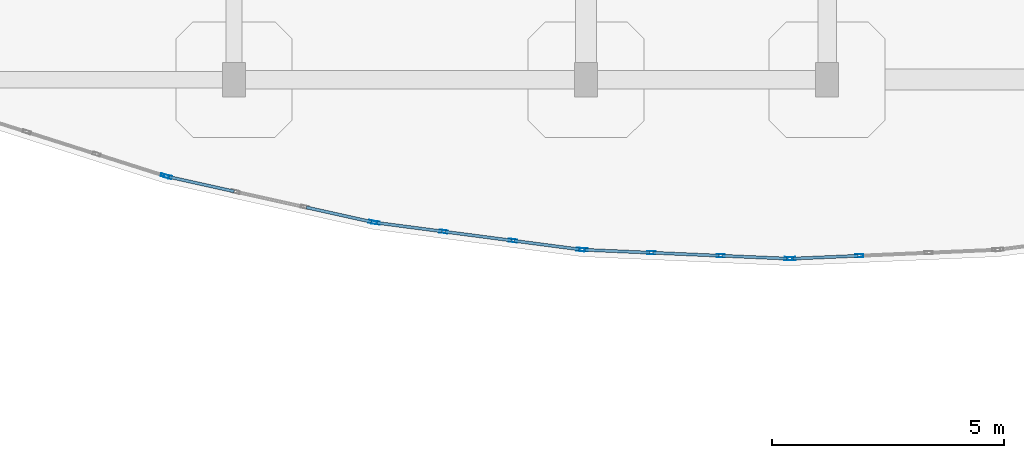
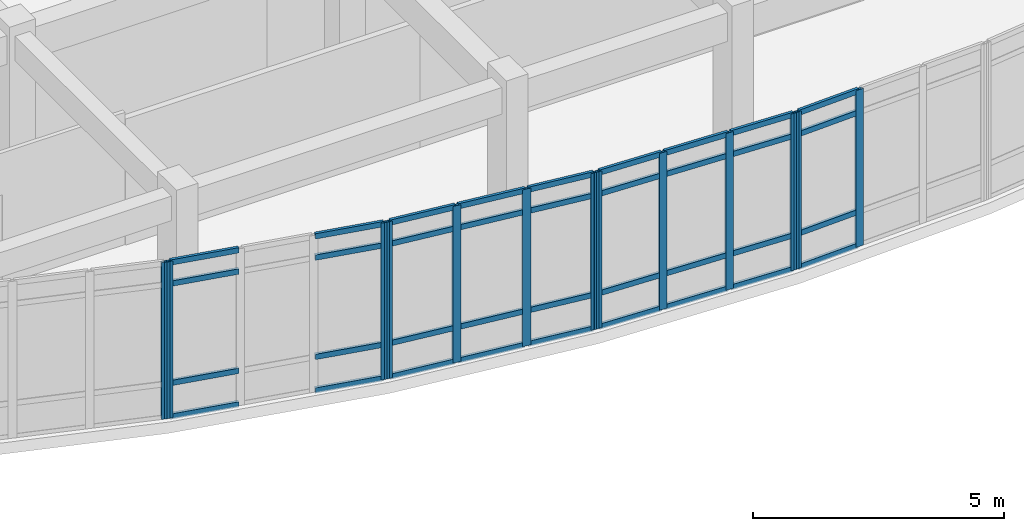
# One storey, part 88 of 146: 49 members, 5 elements without a shape of their own.
"""IFC4 building model written with IfcOpenShell, lengths in metres."""

from ifc_helpers import new_model, si_unit, direction, frame, origin, origin_2d, place, context, subcontext, project, spatial, hollow_rectangle, extrude, material, layer, layer_set, material_profile, profile_set, type_object, element, aggregate, save


model = new_model("IFC4")

# Units and contexts
model_context = context("Model", 3, precision=1e-05, world=origin(), true_north=direction((0.0, 1.0)))
body_context = subcontext(model_context, "Body", "Model", "MODEL_VIEW")
ifc_project = project(units=[si_unit("LENGTHUNIT", "METRE"), si_unit("AREAUNIT", "SQUARE_METRE"), si_unit("VOLUMEUNIT", "CUBIC_METRE"), si_unit("PLANEANGLEUNIT", "RADIAN"), si_unit("MASSUNIT", "GRAM", prefix="KILO")], contexts=[model_context])

# Site, building, storey
site_placement = place(None, origin())
site = spatial("IfcSite", under=ifc_project, at=site_placement, CompositionType="ELEMENT")
building_placement = place(site_placement, origin())
building = spatial("IfcBuilding", under=site, at=building_placement, Name="Valcora Specialist Clinic", CompositionType="ELEMENT")
storey_placement = place(building_placement, frame((0.0, 0.0, 9.52001953125)))
storey = spatial("IfcBuildingStorey", under=building, at=storey_placement, Name="L02", CompositionType="ELEMENT", Elevation=9.52001953125)

# Curtain wall, members
ifc_material = material(Name="Anodized Bronze Aluminium 6063-T6", Category="aluminium")
ifc_layer = layer(ifc_material, 0.175048828125)
ifc_layer_set = layer_set([ifc_layer], Name="Anodized Bronze Aluminium 6063-T6")
curtain_wall_type = type_object("IfcCurtainWallType", Name="TY-CW-ARC40", PredefinedType="NOTDEFINED", material=ifc_layer_set)
curtain_wall_1_placement = place(storey_placement, origin())
curtain_wall_1 = element("IfcCurtainWall", 1, at=curtain_wall_1_placement, inside=storey, type_object=curtain_wall_type, Name="Curtain wall CW-L02-088", PredefinedType="NOTDEFINED")
ifc_material_profile_1 = material_profile(ifc_material, hollow_rectangle(XDim=0.06494140625, YDim=0.175048828125, WallThickness=0.00390625, at=origin_2d()), Name="AL-MUL-65X175")
ifc_profile_set_1 = profile_set([ifc_material_profile_1], Name="Anodized Bronze Aluminium 6063-T6")
member_type_1 = type_object("IfcMemberType", Name="TY-CWM-65X175", PredefinedType="MULLION", material=ifc_profile_set_1)
member_1_placement = place(storey_placement, frame((111.895751953125, 71.0, 0.0), z_axis=(0.0, 0.0, 1.0), x_axis=(0.043306780525, -0.999061821291, 0.0)))
member_1 = element("IfcMember", 2, at=member_1_placement, type_object=member_type_1, Name="CW-ARC-40 mullion 3", PredefinedType="MULLION", context=body_context, shape_type="SweptSolid", body=[
    extrude(hollow_rectangle(XDim=0.06494140625, YDim=0.175048828125, WallThickness=0.00390625, at=origin_2d()), origin(), (0.0, 0.0, 1.0), 3.820068359375),
])
member_2_placement = place(storey_placement, frame((110.432373046875, 70.9365234375, 0.0), z_axis=(0.0, 0.0, 1.0), x_axis=(0.043306780525, -0.999061821291, 0.0)))
member_2 = element("IfcMember", 3, at=member_2_placement, type_object=member_type_1, Name="CW-ARC-40 mullion 4", PredefinedType="MULLION", context=body_context, shape_type="SweptSolid", body=[
    extrude(hollow_rectangle(XDim=0.06494140625, YDim=0.175048828125, WallThickness=0.00390625, at=origin_2d()), origin(), (0.0, 0.0, 1.0), 3.820068359375),
])

curtain_wall_2_placement = place(storey_placement, origin())
curtain_wall_2 = element("IfcCurtainWall", 4, at=curtain_wall_2_placement, inside=storey, type_object=curtain_wall_type, Name="Curtain wall CW-L02-089", PredefinedType="NOTDEFINED")
member_3_placement = place(storey_placement, frame((110.367431640625, 70.9365234375, 0.0), z_axis=(0.0, 0.0, 1.0), x_axis=(-0.043306780525, -0.999061821291, 0.0)))
member_3 = element("IfcMember", 5, at=member_3_placement, type_object=member_type_1, Name="CW-ARC-40 mullion 1", PredefinedType="MULLION", context=body_context, shape_type="SweptSolid", body=[
    extrude(hollow_rectangle(XDim=0.06494140625, YDim=0.175048828125, WallThickness=0.00390625, at=origin_2d()), origin(), (0.0, 0.0, 1.0), 3.820068359375),
])
member_4_placement = place(storey_placement, frame((108.904296875, 71.0, 0.0), z_axis=(0.0, 0.0, 1.0), x_axis=(-0.043306780525, -0.999061821291, 0.0)))
member_4 = element("IfcMember", 6, at=member_4_placement, type_object=member_type_1, Name="CW-ARC-40 mullion 2", PredefinedType="MULLION", context=body_context, shape_type="SweptSolid", body=[
    extrude(hollow_rectangle(XDim=0.06494140625, YDim=0.175048828125, WallThickness=0.00390625, at=origin_2d()), origin(), (0.0, 0.0, 1.0), 3.820068359375),
])
member_5_placement = place(storey_placement, frame((107.40869140625, 71.064697265625, 0.0), z_axis=(0.0, 0.0, 1.0), x_axis=(-0.043306780525, -0.999061821291, 0.0)))
member_5 = element("IfcMember", 7, at=member_5_placement, type_object=member_type_1, Name="CW-ARC-40 mullion 3", PredefinedType="MULLION", context=body_context, shape_type="SweptSolid", body=[
    extrude(hollow_rectangle(XDim=0.06494140625, YDim=0.175048828125, WallThickness=0.00390625, at=origin_2d()), origin(), (0.0, 0.0, 1.0), 3.820068359375),
])
member_6_placement = place(storey_placement, frame((105.945556640625, 71.128173828125, 0.0), z_axis=(0.0, 0.0, 1.0), x_axis=(-0.043306780525, -0.999061821291, 0.0)))
member_6 = element("IfcMember", 8, at=member_6_placement, type_object=member_type_1, Name="CW-ARC-40 mullion 4", PredefinedType="MULLION", context=body_context, shape_type="SweptSolid", body=[
    extrude(hollow_rectangle(XDim=0.06494140625, YDim=0.175048828125, WallThickness=0.00390625, at=origin_2d()), origin(), (0.0, 0.0, 1.0), 3.820068359375),
])

curtain_wall_3_placement = place(storey_placement, origin())
curtain_wall_3 = element("IfcCurtainWall", 9, at=curtain_wall_3_placement, inside=storey, type_object=curtain_wall_type, Name="Curtain wall CW-L02-090", PredefinedType="NOTDEFINED")
member_7_placement = place(storey_placement, frame((105.880859375, 71.1337890625, 0.0), z_axis=(0.0, 0.0, 1.0), x_axis=(-0.129999492259, -0.991514060421, 0.0)))
member_7 = element("IfcMember", 10, at=member_7_placement, type_object=member_type_1, Name="CW-ARC-40 mullion 1", PredefinedType="MULLION", context=body_context, shape_type="SweptSolid", body=[
    extrude(hollow_rectangle(XDim=0.06494140625, YDim=0.175048828125, WallThickness=0.00390625, at=origin_2d()), origin(), (0.0, 0.0, 1.0), 3.820068359375),
])
member_8_placement = place(storey_placement, frame((104.417236328125, 71.32568359375, 0.0), z_axis=(0.0, 0.0, 1.0), x_axis=(-0.129999492259, -0.991514060421, 0.0)))
member_8 = element("IfcMember", 11, at=member_8_placement, type_object=member_type_1, Name="CW-ARC-40 mullion 2", PredefinedType="MULLION", context=body_context, shape_type="SweptSolid", body=[
    extrude(hollow_rectangle(XDim=0.06494140625, YDim=0.175048828125, WallThickness=0.00390625, at=origin_2d()), origin(), (0.0, 0.0, 1.0), 3.820068359375),
])
member_9_placement = place(storey_placement, frame((102.921630859375, 71.521728515625, 0.0), z_axis=(0.0, 0.0, 1.0), x_axis=(-0.129999492259, -0.991514060421, 0.0)))
member_9 = element("IfcMember", 12, at=member_9_placement, type_object=member_type_1, Name="CW-ARC-40 mullion 3", PredefinedType="MULLION", context=body_context, shape_type="SweptSolid", body=[
    extrude(hollow_rectangle(XDim=0.06494140625, YDim=0.175048828125, WallThickness=0.00390625, at=origin_2d()), origin(), (0.0, 0.0, 1.0), 3.820068359375),
])
member_10_placement = place(storey_placement, frame((101.458251953125, 71.713623046875, 0.0), z_axis=(0.0, 0.0, 1.0), x_axis=(-0.129999492259, -0.991514060421, 0.0)))
member_10 = element("IfcMember", 13, at=member_10_placement, type_object=member_type_1, Name="CW-ARC-40 mullion 4", PredefinedType="MULLION", context=body_context, shape_type="SweptSolid", body=[
    extrude(hollow_rectangle(XDim=0.06494140625, YDim=0.175048828125, WallThickness=0.00390625, at=origin_2d()), origin(), (0.0, 0.0, 1.0), 3.820068359375),
])

curtain_wall_4_placement = place(storey_placement, origin())
curtain_wall_4 = element("IfcCurtainWall", 14, at=curtain_wall_4_placement, inside=storey, type_object=curtain_wall_type, Name="Curtain wall CW-L02-091", PredefinedType="NOTDEFINED")
member_11_placement = place(storey_placement, frame((101.394287109375, 71.724853515625, 0.0), z_axis=(0.0, 0.0, 1.0), x_axis=(-0.216518052372, -0.976278614432, 0.0)))
member_11 = element("IfcMember", 15, at=member_11_placement, type_object=member_type_1, Name="CW-ARC-40 mullion 1", PredefinedType="MULLION", context=body_context, shape_type="SweptSolid", body=[
    extrude(hollow_rectangle(XDim=0.06494140625, YDim=0.175048828125, WallThickness=0.00390625, at=origin_2d()), origin(), (0.0, 0.0, 1.0), 3.820068359375),
])
member_12_placement = place(storey_placement, frame((96.970947265625, 72.7060546875, 0.0), z_axis=(0.0, 0.0, 1.0), x_axis=(-0.216518052372, -0.976278614432, 0.0)))
member_12 = element("IfcMember", 16, at=member_12_placement, type_object=member_type_1, Name="CW-ARC-40 mullion 4", PredefinedType="MULLION", context=body_context, shape_type="SweptSolid", body=[
    extrude(hollow_rectangle(XDim=0.06494140625, YDim=0.175048828125, WallThickness=0.00390625, at=origin_2d()), origin(), (0.0, 0.0, 1.0), 3.820068359375),
])

# Curtain wall, member
curtain_wall_5_placement = place(storey_placement, origin())
curtain_wall_5 = element("IfcCurtainWall", 17, at=curtain_wall_5_placement, inside=storey, type_object=curtain_wall_type, Name="Curtain wall CW-L02-092", PredefinedType="NOTDEFINED")
member_13_placement = place(storey_placement, frame((96.908203125, 72.722900390625, 0.0), z_axis=(0.0, 0.0, 1.0), x_axis=(-0.303233270958, -0.952916356972, 0.0)))
member_13 = element("IfcMember", 18, at=member_13_placement, type_object=member_type_1, Name="CW-ARC-40 mullion 1", PredefinedType="MULLION", context=body_context, shape_type="SweptSolid", body=[
    extrude(hollow_rectangle(XDim=0.06494140625, YDim=0.175048828125, WallThickness=0.00390625, at=origin_2d()), origin(), (0.0, 0.0, 1.0), 3.820068359375),
])
aggregate(curtain_wall_5, [member_13])

# Member
ifc_material_profile_2 = material_profile(ifc_material, hollow_rectangle(XDim=0.06494140625, YDim=0.1298828125, WallThickness=0.00390625, at=origin_2d()), Name="AL-TRN-65X130")
ifc_profile_set_2 = profile_set([ifc_material_profile_2], Name="Anodized Bronze Aluminium 6063-T6")
member_type_2 = type_object("IfcMemberType", Name="TY-CWT-65X130", PredefinedType="USERDEFINED", material=ifc_profile_set_2)
member_14_placement = place(storey_placement, frame((111.86328125, 70.99853515625, 0.032470703125), z_axis=(-0.999064039995, -0.043255565977, 0.0), x_axis=(0.043255565977, -0.999064039995, 0.0)))
member_14 = element("IfcMember", 19, at=member_14_placement, type_object=member_type_2, Name="CW-ARC-40 transom 3.1", ObjectType="TRANSOM", PredefinedType="USERDEFINED", context=body_context, shape_type="SweptSolid", body=[
    extrude(hollow_rectangle(XDim=0.06494140625, YDim=0.1298828125, WallThickness=0.00390625, at=origin_2d()), origin(), (0.0, 0.0, 1.0), 1.399658203125),
])

member_15_placement = place(storey_placement, frame((111.86328125, 70.99853515625, 0.85009765625), z_axis=(-0.999064039995, -0.043255565977, 0.0), x_axis=(0.043255565977, -0.999064039995, 0.0)))
member_15 = element("IfcMember", 20, at=member_15_placement, type_object=member_type_2, Name="CW-ARC-40 transom 3.2", ObjectType="TRANSOM", PredefinedType="USERDEFINED", context=body_context, shape_type="SweptSolid", body=[
    extrude(hollow_rectangle(XDim=0.06494140625, YDim=0.1298828125, WallThickness=0.00390625, at=origin_2d()), origin(), (0.0, 0.0, 1.0), 1.399658203125),
])

member_16_placement = place(storey_placement, frame((111.86328125, 70.99853515625, 3.27001953125), z_axis=(-0.999064039995, -0.043255565977, 0.0), x_axis=(0.043255565977, -0.999064039995, 0.0)))
member_16 = element("IfcMember", 21, at=member_16_placement, type_object=member_type_2, Name="CW-ARC-40 transom 3.3", ObjectType="TRANSOM", PredefinedType="USERDEFINED", context=body_context, shape_type="SweptSolid", body=[
    extrude(hollow_rectangle(XDim=0.06494140625, YDim=0.1298828125, WallThickness=0.00390625, at=origin_2d()), origin(), (0.0, 0.0, 1.0), 1.399658203125),
])

member_17_placement = place(storey_placement, frame((111.86328125, 70.99853515625, 3.78759765625), z_axis=(-0.999064039995, -0.043255565977, 0.0), x_axis=(0.043255565977, -0.999064039995, 0.0)))
member_17 = element("IfcMember", 22, at=member_17_placement, type_object=member_type_2, Name="CW-ARC-40 transom 3.4", ObjectType="TRANSOM", PredefinedType="USERDEFINED", context=body_context, shape_type="SweptSolid", body=[
    extrude(hollow_rectangle(XDim=0.06494140625, YDim=0.1298828125, WallThickness=0.00390625, at=origin_2d()), origin(), (0.0, 0.0, 1.0), 1.399658203125),
])

aggregate(curtain_wall_1, [member_1, member_2, member_14, member_15, member_16, member_17])

member_18_placement = place(storey_placement, frame((110.3349609375, 70.93798828125, 0.032470703125), z_axis=(-0.999063713567, 0.043263104761, 0.0), x_axis=(-0.043263104761, -0.999063713567, 0.0)))
member_18 = element("IfcMember", 23, at=member_18_placement, type_object=member_type_2, Name="CW-ARC-40 transom 1.1", ObjectType="TRANSOM", PredefinedType="USERDEFINED", context=body_context, shape_type="SweptSolid", body=[
    extrude(hollow_rectangle(XDim=0.06494140625, YDim=0.1298828125, WallThickness=0.00390625, at=origin_2d()), origin(), (0.0, 0.0, 1.0), 1.3994140625),
])

member_19_placement = place(storey_placement, frame((110.3349609375, 70.93798828125, 0.85009765625), z_axis=(-0.999063713567, 0.043263104761, 0.0), x_axis=(-0.043263104761, -0.999063713567, 0.0)))
member_19 = element("IfcMember", 24, at=member_19_placement, type_object=member_type_2, Name="CW-ARC-40 transom 1.2", ObjectType="TRANSOM", PredefinedType="USERDEFINED", context=body_context, shape_type="SweptSolid", body=[
    extrude(hollow_rectangle(XDim=0.06494140625, YDim=0.1298828125, WallThickness=0.00390625, at=origin_2d()), origin(), (0.0, 0.0, 1.0), 1.3994140625),
])

member_20_placement = place(storey_placement, frame((110.3349609375, 70.93798828125, 3.27001953125), z_axis=(-0.999063713567, 0.043263104761, 0.0), x_axis=(-0.043263104761, -0.999063713567, 0.0)))
member_20 = element("IfcMember", 25, at=member_20_placement, type_object=member_type_2, Name="CW-ARC-40 transom 1.3", ObjectType="TRANSOM", PredefinedType="USERDEFINED", context=body_context, shape_type="SweptSolid", body=[
    extrude(hollow_rectangle(XDim=0.06494140625, YDim=0.1298828125, WallThickness=0.00390625, at=origin_2d()), origin(), (0.0, 0.0, 1.0), 1.3994140625),
])

member_21_placement = place(storey_placement, frame((110.3349609375, 70.93798828125, 3.78759765625), z_axis=(-0.999063713567, 0.043263104761, 0.0), x_axis=(-0.043263104761, -0.999063713567, 0.0)))
member_21 = element("IfcMember", 26, at=member_21_placement, type_object=member_type_2, Name="CW-ARC-40 transom 1.4", ObjectType="TRANSOM", PredefinedType="USERDEFINED", context=body_context, shape_type="SweptSolid", body=[
    extrude(hollow_rectangle(XDim=0.06494140625, YDim=0.1298828125, WallThickness=0.00390625, at=origin_2d()), origin(), (0.0, 0.0, 1.0), 1.3994140625),
])

member_22_placement = place(storey_placement, frame((108.871826171875, 71.001220703125, 0.032470703125), z_axis=(-0.999054549301, 0.043474216736, 0.0), x_axis=(-0.043474216736, -0.999054549301, 0.0)))
member_22 = element("IfcMember", 27, at=member_22_placement, type_object=member_type_2, Name="CW-ARC-40 transom 2.1", ObjectType="TRANSOM", PredefinedType="USERDEFINED", context=body_context, shape_type="SweptSolid", body=[
    extrude(hollow_rectangle(XDim=0.06494140625, YDim=0.1298828125, WallThickness=0.00390625, at=origin_2d()), origin(), (0.0, 0.0, 1.0), 1.43212890625),
])

member_23_placement = place(storey_placement, frame((108.871826171875, 71.001220703125, 0.85009765625), z_axis=(-0.999054549301, 0.043474216736, 0.0), x_axis=(-0.043474216736, -0.999054549301, 0.0)))
member_23 = element("IfcMember", 28, at=member_23_placement, type_object=member_type_2, Name="CW-ARC-40 transom 2.2", ObjectType="TRANSOM", PredefinedType="USERDEFINED", context=body_context, shape_type="SweptSolid", body=[
    extrude(hollow_rectangle(XDim=0.06494140625, YDim=0.1298828125, WallThickness=0.00390625, at=origin_2d()), origin(), (0.0, 0.0, 1.0), 1.43212890625),
])

member_24_placement = place(storey_placement, frame((108.871826171875, 71.001220703125, 3.27001953125), z_axis=(-0.999054549301, 0.043474216736, 0.0), x_axis=(-0.043474216736, -0.999054549301, 0.0)))
member_24 = element("IfcMember", 29, at=member_24_placement, type_object=member_type_2, Name="CW-ARC-40 transom 2.3", ObjectType="TRANSOM", PredefinedType="USERDEFINED", context=body_context, shape_type="SweptSolid", body=[
    extrude(hollow_rectangle(XDim=0.06494140625, YDim=0.1298828125, WallThickness=0.00390625, at=origin_2d()), origin(), (0.0, 0.0, 1.0), 1.43212890625),
])

member_25_placement = place(storey_placement, frame((108.871826171875, 71.001220703125, 3.78759765625), z_axis=(-0.999054549301, 0.043474216736, 0.0), x_axis=(-0.043474216736, -0.999054549301, 0.0)))
member_25 = element("IfcMember", 30, at=member_25_placement, type_object=member_type_2, Name="CW-ARC-40 transom 2.4", ObjectType="TRANSOM", PredefinedType="USERDEFINED", context=body_context, shape_type="SweptSolid", body=[
    extrude(hollow_rectangle(XDim=0.06494140625, YDim=0.1298828125, WallThickness=0.00390625, at=origin_2d()), origin(), (0.0, 0.0, 1.0), 1.43212890625),
])

member_26_placement = place(storey_placement, frame((107.376220703125, 71.066162109375, 0.032470703125), z_axis=(-0.999063713567, 0.043263104761, 0.0), x_axis=(-0.043263104761, -0.999063713567, 0.0)))
member_26 = element("IfcMember", 31, at=member_26_placement, type_object=member_type_2, Name="CW-ARC-40 transom 3.1", ObjectType="TRANSOM", PredefinedType="USERDEFINED", context=body_context, shape_type="SweptSolid", body=[
    extrude(hollow_rectangle(XDim=0.06494140625, YDim=0.1298828125, WallThickness=0.00390625, at=origin_2d()), origin(), (0.0, 0.0, 1.0), 1.3994140625),
])

member_27_placement = place(storey_placement, frame((107.376220703125, 71.066162109375, 0.85009765625), z_axis=(-0.999063713567, 0.043263104761, 0.0), x_axis=(-0.043263104761, -0.999063713567, 0.0)))
member_27 = element("IfcMember", 32, at=member_27_placement, type_object=member_type_2, Name="CW-ARC-40 transom 3.2", ObjectType="TRANSOM", PredefinedType="USERDEFINED", context=body_context, shape_type="SweptSolid", body=[
    extrude(hollow_rectangle(XDim=0.06494140625, YDim=0.1298828125, WallThickness=0.00390625, at=origin_2d()), origin(), (0.0, 0.0, 1.0), 1.3994140625),
])

member_28_placement = place(storey_placement, frame((107.376220703125, 71.066162109375, 3.27001953125), z_axis=(-0.999063713567, 0.043263104761, 0.0), x_axis=(-0.043263104761, -0.999063713567, 0.0)))
member_28 = element("IfcMember", 33, at=member_28_placement, type_object=member_type_2, Name="CW-ARC-40 transom 3.3", ObjectType="TRANSOM", PredefinedType="USERDEFINED", context=body_context, shape_type="SweptSolid", body=[
    extrude(hollow_rectangle(XDim=0.06494140625, YDim=0.1298828125, WallThickness=0.00390625, at=origin_2d()), origin(), (0.0, 0.0, 1.0), 1.3994140625),
])

member_29_placement = place(storey_placement, frame((107.376220703125, 71.066162109375, 3.78759765625), z_axis=(-0.999063713567, 0.043263104761, 0.0), x_axis=(-0.043263104761, -0.999063713567, 0.0)))
member_29 = element("IfcMember", 34, at=member_29_placement, type_object=member_type_2, Name="CW-ARC-40 transom 3.4", ObjectType="TRANSOM", PredefinedType="USERDEFINED", context=body_context, shape_type="SweptSolid", body=[
    extrude(hollow_rectangle(XDim=0.06494140625, YDim=0.1298828125, WallThickness=0.00390625, at=origin_2d()), origin(), (0.0, 0.0, 1.0), 1.3994140625),
])

aggregate(curtain_wall_2, [member_3, member_4, member_5, member_6, member_18, member_19, member_20, member_21, member_22, member_23, member_24, member_25, member_26, member_27, member_28, member_29])

member_30_placement = place(storey_placement, frame((105.8486328125, 71.137939453125, 0.032470703125), z_axis=(-0.991500752316, 0.130100953715, 0.0), x_axis=(-0.130100953715, -0.991500752316, 0.0)))
member_30 = element("IfcMember", 35, at=member_30_placement, type_object=member_type_2, Name="CW-ARC-40 transom 1.1", ObjectType="TRANSOM", PredefinedType="USERDEFINED", context=body_context, shape_type="SweptSolid", body=[
    extrude(hollow_rectangle(XDim=0.06494140625, YDim=0.1298828125, WallThickness=0.00390625, at=origin_2d()), origin(), (0.0, 0.0, 1.0), 1.4111328125),
])

member_31_placement = place(storey_placement, frame((105.8486328125, 71.137939453125, 0.85009765625), z_axis=(-0.991500752316, 0.130100953715, 0.0), x_axis=(-0.130100953715, -0.991500752316, 0.0)))
member_31 = element("IfcMember", 36, at=member_31_placement, type_object=member_type_2, Name="CW-ARC-40 transom 1.2", ObjectType="TRANSOM", PredefinedType="USERDEFINED", context=body_context, shape_type="SweptSolid", body=[
    extrude(hollow_rectangle(XDim=0.06494140625, YDim=0.1298828125, WallThickness=0.00390625, at=origin_2d()), origin(), (0.0, 0.0, 1.0), 1.4111328125),
])

member_32_placement = place(storey_placement, frame((105.8486328125, 71.137939453125, 3.27001953125), z_axis=(-0.991500752316, 0.130100953715, 0.0), x_axis=(-0.130100953715, -0.991500752316, 0.0)))
member_32 = element("IfcMember", 37, at=member_32_placement, type_object=member_type_2, Name="CW-ARC-40 transom 1.3", ObjectType="TRANSOM", PredefinedType="USERDEFINED", context=body_context, shape_type="SweptSolid", body=[
    extrude(hollow_rectangle(XDim=0.06494140625, YDim=0.1298828125, WallThickness=0.00390625, at=origin_2d()), origin(), (0.0, 0.0, 1.0), 1.4111328125),
])

member_33_placement = place(storey_placement, frame((105.8486328125, 71.137939453125, 3.78759765625), z_axis=(-0.991500752316, 0.130100953715, 0.0), x_axis=(-0.130100953715, -0.991500752316, 0.0)))
member_33 = element("IfcMember", 38, at=member_33_placement, type_object=member_type_2, Name="CW-ARC-40 transom 1.4", ObjectType="TRANSOM", PredefinedType="USERDEFINED", context=body_context, shape_type="SweptSolid", body=[
    extrude(hollow_rectangle(XDim=0.06494140625, YDim=0.1298828125, WallThickness=0.00390625, at=origin_2d()), origin(), (0.0, 0.0, 1.0), 1.4111328125),
])

member_34_placement = place(storey_placement, frame((104.385009765625, 71.329833984375, 0.032470703125), z_axis=(-0.991504882499, 0.130069473668, 0.0), x_axis=(-0.130069473668, -0.991504882499, 0.0)))
member_34 = element("IfcMember", 39, at=member_34_placement, type_object=member_type_2, Name="CW-ARC-40 transom 2.1", ObjectType="TRANSOM", PredefinedType="USERDEFINED", context=body_context, shape_type="SweptSolid", body=[
    extrude(hollow_rectangle(XDim=0.06494140625, YDim=0.1298828125, WallThickness=0.00390625, at=origin_2d()), origin(), (0.0, 0.0, 1.0), 1.443359375),
])

member_35_placement = place(storey_placement, frame((104.385009765625, 71.329833984375, 0.85009765625), z_axis=(-0.991504882499, 0.130069473668, 0.0), x_axis=(-0.130069473668, -0.991504882499, 0.0)))
member_35 = element("IfcMember", 40, at=member_35_placement, type_object=member_type_2, Name="CW-ARC-40 transom 2.2", ObjectType="TRANSOM", PredefinedType="USERDEFINED", context=body_context, shape_type="SweptSolid", body=[
    extrude(hollow_rectangle(XDim=0.06494140625, YDim=0.1298828125, WallThickness=0.00390625, at=origin_2d()), origin(), (0.0, 0.0, 1.0), 1.443359375),
])

member_36_placement = place(storey_placement, frame((104.385009765625, 71.329833984375, 3.27001953125), z_axis=(-0.991504882499, 0.130069473668, 0.0), x_axis=(-0.130069473668, -0.991504882499, 0.0)))
member_36 = element("IfcMember", 41, at=member_36_placement, type_object=member_type_2, Name="CW-ARC-40 transom 2.3", ObjectType="TRANSOM", PredefinedType="USERDEFINED", context=body_context, shape_type="SweptSolid", body=[
    extrude(hollow_rectangle(XDim=0.06494140625, YDim=0.1298828125, WallThickness=0.00390625, at=origin_2d()), origin(), (0.0, 0.0, 1.0), 1.443359375),
])

member_37_placement = place(storey_placement, frame((104.385009765625, 71.329833984375, 3.78759765625), z_axis=(-0.991504882499, 0.130069473668, 0.0), x_axis=(-0.130069473668, -0.991504882499, 0.0)))
member_37 = element("IfcMember", 42, at=member_37_placement, type_object=member_type_2, Name="CW-ARC-40 transom 2.4", ObjectType="TRANSOM", PredefinedType="USERDEFINED", context=body_context, shape_type="SweptSolid", body=[
    extrude(hollow_rectangle(XDim=0.06494140625, YDim=0.1298828125, WallThickness=0.00390625, at=origin_2d()), origin(), (0.0, 0.0, 1.0), 1.443359375),
])

member_38_placement = place(storey_placement, frame((102.889404296875, 71.526123046875, 0.032470703125), z_axis=(-0.991520133728, 0.129953162379, 0.0), x_axis=(-0.129953162379, -0.991520133728, 0.0)))
member_38 = element("IfcMember", 43, at=member_38_placement, type_object=member_type_2, Name="CW-ARC-40 transom 3.1", ObjectType="TRANSOM", PredefinedType="USERDEFINED", context=body_context, shape_type="SweptSolid", body=[
    extrude(hollow_rectangle(XDim=0.06494140625, YDim=0.1298828125, WallThickness=0.00390625, at=origin_2d()), origin(), (0.0, 0.0, 1.0), 1.410888671875),
])

member_39_placement = place(storey_placement, frame((102.889404296875, 71.526123046875, 0.85009765625), z_axis=(-0.991520133728, 0.129953162379, 0.0), x_axis=(-0.129953162379, -0.991520133728, 0.0)))
member_39 = element("IfcMember", 44, at=member_39_placement, type_object=member_type_2, Name="CW-ARC-40 transom 3.2", ObjectType="TRANSOM", PredefinedType="USERDEFINED", context=body_context, shape_type="SweptSolid", body=[
    extrude(hollow_rectangle(XDim=0.06494140625, YDim=0.1298828125, WallThickness=0.00390625, at=origin_2d()), origin(), (0.0, 0.0, 1.0), 1.410888671875),
])

member_40_placement = place(storey_placement, frame((102.889404296875, 71.526123046875, 3.27001953125), z_axis=(-0.991520133728, 0.129953162379, 0.0), x_axis=(-0.129953162379, -0.991520133728, 0.0)))
member_40 = element("IfcMember", 45, at=member_40_placement, type_object=member_type_2, Name="CW-ARC-40 transom 3.3", ObjectType="TRANSOM", PredefinedType="USERDEFINED", context=body_context, shape_type="SweptSolid", body=[
    extrude(hollow_rectangle(XDim=0.06494140625, YDim=0.1298828125, WallThickness=0.00390625, at=origin_2d()), origin(), (0.0, 0.0, 1.0), 1.410888671875),
])

member_41_placement = place(storey_placement, frame((102.889404296875, 71.526123046875, 3.78759765625), z_axis=(-0.991520133728, 0.129953162379, 0.0), x_axis=(-0.129953162379, -0.991520133728, 0.0)))
member_41 = element("IfcMember", 46, at=member_41_placement, type_object=member_type_2, Name="CW-ARC-40 transom 3.4", ObjectType="TRANSOM", PredefinedType="USERDEFINED", context=body_context, shape_type="SweptSolid", body=[
    extrude(hollow_rectangle(XDim=0.06494140625, YDim=0.1298828125, WallThickness=0.00390625, at=origin_2d()), origin(), (0.0, 0.0, 1.0), 1.410888671875),
])

aggregate(curtain_wall_3, [member_7, member_8, member_9, member_10, member_30, member_31, member_32, member_33, member_34, member_35, member_36, member_37, member_38, member_39, member_40, member_41])

member_42_placement = place(storey_placement, frame((101.362548828125, 71.73193359375, 0.032470703125), z_axis=(-0.976283078872, 0.216497921256, 0.0), x_axis=(-0.216497921256, -0.976283078872, 0.0)))
member_42 = element("IfcMember", 47, at=member_42_placement, type_object=member_type_2, Name="CW-ARC-40 transom 1.1", ObjectType="TRANSOM", PredefinedType="USERDEFINED", context=body_context, shape_type="SweptSolid", body=[
    extrude(hollow_rectangle(XDim=0.06494140625, YDim=0.1298828125, WallThickness=0.00390625, at=origin_2d()), origin(), (0.0, 0.0, 1.0), 1.434326171875),
])

member_43_placement = place(storey_placement, frame((101.362548828125, 71.73193359375, 0.85009765625), z_axis=(-0.976283078872, 0.216497921256, 0.0), x_axis=(-0.216497921256, -0.976283078872, 0.0)))
member_43 = element("IfcMember", 48, at=member_43_placement, type_object=member_type_2, Name="CW-ARC-40 transom 1.2", ObjectType="TRANSOM", PredefinedType="USERDEFINED", context=body_context, shape_type="SweptSolid", body=[
    extrude(hollow_rectangle(XDim=0.06494140625, YDim=0.1298828125, WallThickness=0.00390625, at=origin_2d()), origin(), (0.0, 0.0, 1.0), 1.434326171875),
])

member_44_placement = place(storey_placement, frame((101.362548828125, 71.73193359375, 3.27001953125), z_axis=(-0.976283078872, 0.216497921256, 0.0), x_axis=(-0.216497921256, -0.976283078872, 0.0)))
member_44 = element("IfcMember", 49, at=member_44_placement, type_object=member_type_2, Name="CW-ARC-40 transom 1.3", ObjectType="TRANSOM", PredefinedType="USERDEFINED", context=body_context, shape_type="SweptSolid", body=[
    extrude(hollow_rectangle(XDim=0.06494140625, YDim=0.1298828125, WallThickness=0.00390625, at=origin_2d()), origin(), (0.0, 0.0, 1.0), 1.434326171875),
])

member_45_placement = place(storey_placement, frame((101.362548828125, 71.73193359375, 3.78759765625), z_axis=(-0.976283078872, 0.216497921256, 0.0), x_axis=(-0.216497921256, -0.976283078872, 0.0)))
member_45 = element("IfcMember", 50, at=member_45_placement, type_object=member_type_2, Name="CW-ARC-40 transom 1.4", ObjectType="TRANSOM", PredefinedType="USERDEFINED", context=body_context, shape_type="SweptSolid", body=[
    extrude(hollow_rectangle(XDim=0.06494140625, YDim=0.1298828125, WallThickness=0.00390625, at=origin_2d()), origin(), (0.0, 0.0, 1.0), 1.434326171875),
])

member_46_placement = place(storey_placement, frame((98.403076171875, 72.388427734375, 0.032470703125), z_axis=(-0.976291054518, 0.216461952475, 0.0), x_axis=(-0.216461952475, -0.976291054518, 0.0)))
member_46 = element("IfcMember", 51, at=member_46_placement, type_object=member_type_2, Name="CW-ARC-40 transom 3.1", ObjectType="TRANSOM", PredefinedType="USERDEFINED", context=body_context, shape_type="SweptSolid", body=[
    extrude(hollow_rectangle(XDim=0.06494140625, YDim=0.1298828125, WallThickness=0.00390625, at=origin_2d()), origin(), (0.0, 0.0, 1.0), 1.4345703125),
])

member_47_placement = place(storey_placement, frame((98.403076171875, 72.388427734375, 0.85009765625), z_axis=(-0.976291054518, 0.216461952475, 0.0), x_axis=(-0.216461952475, -0.976291054518, 0.0)))
member_47 = element("IfcMember", 52, at=member_47_placement, type_object=member_type_2, Name="CW-ARC-40 transom 3.2", ObjectType="TRANSOM", PredefinedType="USERDEFINED", context=body_context, shape_type="SweptSolid", body=[
    extrude(hollow_rectangle(XDim=0.06494140625, YDim=0.1298828125, WallThickness=0.00390625, at=origin_2d()), origin(), (0.0, 0.0, 1.0), 1.4345703125),
])

member_48_placement = place(storey_placement, frame((98.403076171875, 72.388427734375, 3.27001953125), z_axis=(-0.976291054518, 0.216461952475, 0.0), x_axis=(-0.216461952475, -0.976291054518, 0.0)))
member_48 = element("IfcMember", 53, at=member_48_placement, type_object=member_type_2, Name="CW-ARC-40 transom 3.3", ObjectType="TRANSOM", PredefinedType="USERDEFINED", context=body_context, shape_type="SweptSolid", body=[
    extrude(hollow_rectangle(XDim=0.06494140625, YDim=0.1298828125, WallThickness=0.00390625, at=origin_2d()), origin(), (0.0, 0.0, 1.0), 1.4345703125),
])

member_49_placement = place(storey_placement, frame((98.403076171875, 72.388427734375, 3.78759765625), z_axis=(-0.976291054518, 0.216461952475, 0.0), x_axis=(-0.216461952475, -0.976291054518, 0.0)))
member_49 = element("IfcMember", 54, at=member_49_placement, type_object=member_type_2, Name="CW-ARC-40 transom 3.4", ObjectType="TRANSOM", PredefinedType="USERDEFINED", context=body_context, shape_type="SweptSolid", body=[
    extrude(hollow_rectangle(XDim=0.06494140625, YDim=0.1298828125, WallThickness=0.00390625, at=origin_2d()), origin(), (0.0, 0.0, 1.0), 1.4345703125),
])

aggregate(curtain_wall_4, [member_11, member_12, member_42, member_43, member_44, member_45, member_46, member_47, member_48, member_49])

save(model, "model.ifc")
